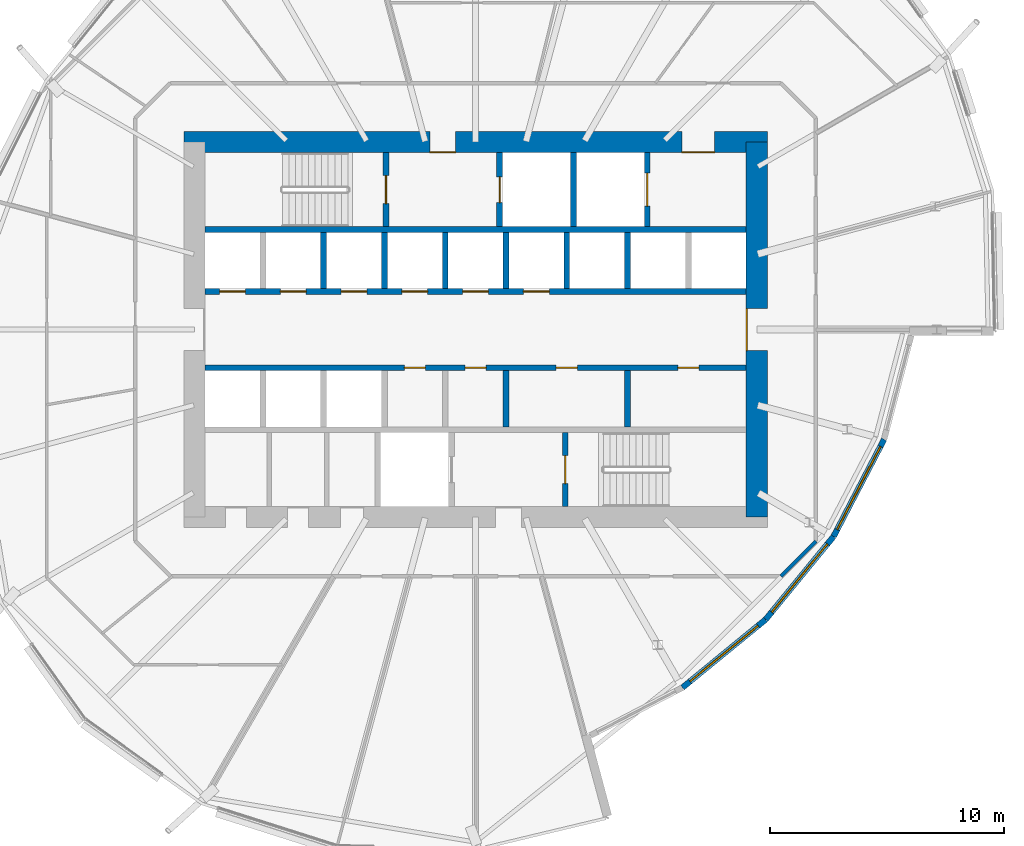
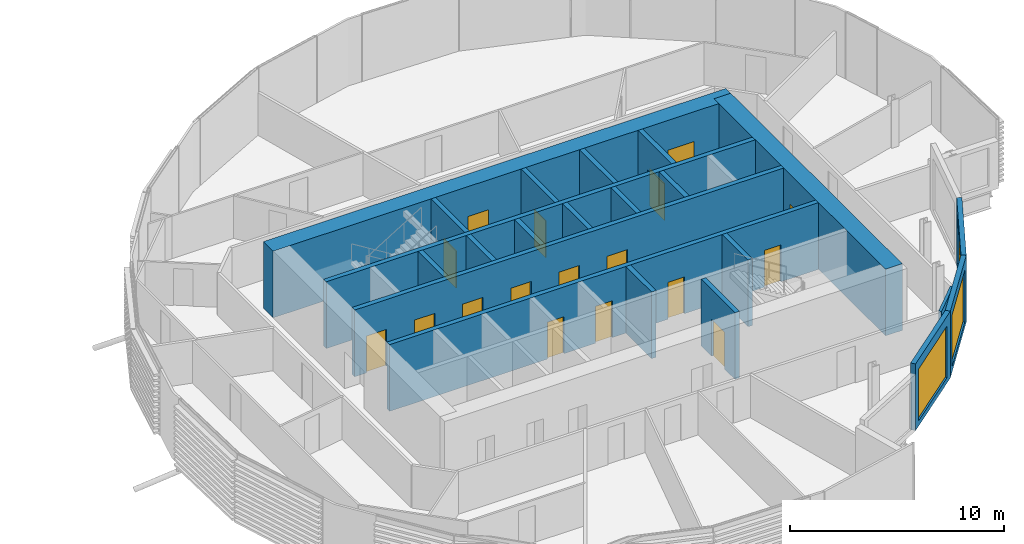
# One storey, part 24 of 38: 22 walls, 17 doors, 3 windows, 20 openings.
"""IFC4 building model written with IfcOpenShell, lengths in metres."""

from ifc_helpers import new_model, si_unit, direction, frame, frame_2d, origin, place, context, subcontext, project, spatial, rectangle, extrude, material, layer, layer_set, type_object, element, fill, save


model = new_model("IFC4")

# Units and contexts
model_context = context("Model", 3, precision=1e-05, world=origin(), true_north=direction((0.0, 1.0)))
body_context = subcontext(model_context, "Body", "Model", "MODEL_VIEW")
ifc_project = project(units=[si_unit("LENGTHUNIT", "METRE"), si_unit("AREAUNIT", "SQUARE_METRE"), si_unit("VOLUMEUNIT", "CUBIC_METRE"), si_unit("PLANEANGLEUNIT", "RADIAN"), si_unit("MASSUNIT", "GRAM", prefix="KILO")], contexts=[model_context])

# Site, building, storey
site_placement = place(None, origin())
site = spatial("IfcSite", under=ifc_project, at=site_placement, CompositionType="ELEMENT")
building_placement = place(site_placement, origin())
building = spatial("IfcBuilding", under=site, at=building_placement, Name="Rimbun Link Towers", CompositionType="ELEMENT")
storey_placement = place(building_placement, frame((0.0, 0.0, 68.0)))
storey = spatial("IfcBuildingStorey", under=building, at=storey_placement, Name="L16", CompositionType="ELEMENT", Elevation=68.0)

# Wall, opening, window
ifc_material_1 = material(Name="Dark enamelled glass spandrel on insulated aluminium backpan", Category="aluminium")
ifc_layer_1 = layer(ifc_material_1, 0.25)
ifc_layer_set_1 = layer_set([ifc_layer_1], Name="CS dark enamelled spandrel wall 250")
wall_type_1 = type_object("IfcWallType", Name="CS dark enamelled spandrel wall 250", PredefinedType="STANDARD", material=ifc_layer_set_1)
wall_1_placement = place(storey_placement, frame((44.126220703125, -12.376220703125, 0.0), z_axis=(0.0, 0.0, 1.0), x_axis=(-0.773897956984, -0.633310312703, 0.0)))
wall_1 = element("IfcWall", 1, at=wall_1_placement, inside=storey, type_object=wall_type_1, Name="Crease spandrel wall", PredefinedType="STANDARD", context=body_context, shape_type="SweptSolid", body=[
    extrude(rectangle(XDim=4.582763671875, YDim=0.25, at=frame_2d((2.29150390625, 0.0))), origin(), (0.0, 0.0, 1.0), 3.800048828125),
])
opening_1_placement = place(wall_1_placement, frame((0.416259765625, 0.0, 0.300048828125)))
opening_1 = element("IfcOpeningElement", 2, at=opening_1_placement, cuts=wall_1, Name="Opening WR38H295", PredefinedType="OPENING", context=body_context, shape_type="SweptSolid", body=[
    extrude(rectangle(XDim=3.75, YDim=2.949951171875, at=frame_2d((1.875, 1.47509765625))), frame((0.0, 0.135009765625, 0.0), z_axis=(0.0, -1.0, 0.0), x_axis=(1.0, 0.0, 0.0)), (0.0, 0.0, 1.0), 0.27001953125),
])
ifc_material_2 = material(Name="Aluminium framed fixed window, dark tinted low-e glass", Category="aluminium")
window_type_1 = type_object("IfcWindowType", Name="WR ribbon window 3750X2950", PartitioningType="SINGLE_PANEL", PredefinedType="WINDOW", material=ifc_material_2)
window_1_placement = place(opening_1_placement, origin())
window_1 = element("IfcWindow", 3, at=window_1_placement, inside=storey, type_object=window_type_1, Name="Crease ribbon window", OverallHeight=2.949951171875, OverallWidth=3.75, PartitioningType="SINGLE_PANEL", PredefinedType="WINDOW", context=body_context, shape_type="SweptSolid", body=[
    extrude(rectangle(XDim=3.75, YDim=2.949951171875, at=frame_2d((1.875, 1.47509765625))), frame((0.0, 0.030029296875, 0.0), z_axis=(0.0, -1.0, 0.0), x_axis=(1.0, 0.0, 0.0)), (0.0, 0.0, 1.0), 0.06005859375),
])
fill(opening_1, window_1)

wall_2_placement = place(storey_placement, frame((47.028564453125, -8.82958984375, 0.0), z_axis=(0.0, 0.0, 1.0), x_axis=(-0.633310312703, -0.773897956984, 0.0)))
wall_2 = element("IfcWall", 4, at=wall_2_placement, inside=storey, type_object=wall_type_1, Name="Crease spandrel wall", PredefinedType="STANDARD", context=body_context, shape_type="SweptSolid", body=[
    extrude(rectangle(XDim=4.582763671875, YDim=0.25, at=frame_2d((2.29150390625, 0.0))), origin(), (0.0, 0.0, 1.0), 3.800048828125),
])
opening_2_placement = place(wall_2_placement, frame((0.416259765625, 0.0, 0.300048828125)))
opening_2 = element("IfcOpeningElement", 5, at=opening_2_placement, cuts=wall_2, Name="Opening WR38H295", PredefinedType="OPENING", context=body_context, shape_type="SweptSolid", body=[
    extrude(rectangle(XDim=3.75, YDim=2.949951171875, at=frame_2d((1.875, 1.47509765625))), frame((0.0, 0.135009765625, 0.0), z_axis=(0.0, -1.0, 0.0), x_axis=(1.0, 0.0, 0.0)), (0.0, 0.0, 1.0), 0.27001953125),
])
window_2_placement = place(opening_2_placement, origin())
window_2 = element("IfcWindow", 6, at=window_2_placement, inside=storey, type_object=window_type_1, Name="Crease ribbon window", OverallHeight=2.949951171875, OverallWidth=3.75, PartitioningType="SINGLE_PANEL", PredefinedType="WINDOW", context=body_context, shape_type="SweptSolid", body=[
    extrude(rectangle(XDim=3.75, YDim=2.949951171875, at=frame_2d((1.875, 1.47509765625))), frame((0.0, 0.030029296875, 0.0), z_axis=(0.0, -1.0, 0.0), x_axis=(1.0, 0.0, 0.0)), (0.0, 0.0, 1.0), 0.06005859375),
])
fill(opening_2, window_2)

wall_3_placement = place(storey_placement, frame((49.186279296875, -4.685791015625, 0.0), z_axis=(0.0, 0.0, 1.0), x_axis=(-0.461847922191, -0.886959129142, 0.0)))
wall_3 = element("IfcWall", 7, at=wall_3_placement, inside=storey, type_object=wall_type_1, Name="Crease spandrel wall", PredefinedType="STANDARD", context=body_context, shape_type="SweptSolid", body=[
    extrude(rectangle(XDim=4.671875, YDim=0.25, at=frame_2d((2.3359375, 0.0))), origin(), (0.0, 0.0, 1.0), 3.800048828125),
])
opening_3_placement = place(wall_3_placement, frame((0.3359375, 0.0, 0.300048828125)))
opening_3 = element("IfcOpeningElement", 8, at=opening_3_placement, cuts=wall_3, Name="Opening WR40H295", PredefinedType="OPENING", context=body_context, shape_type="SweptSolid", body=[
    extrude(rectangle(XDim=4.0, YDim=2.949951171875, at=frame_2d((2.0, 1.47509765625))), frame((0.0, 0.135009765625, 0.0), z_axis=(0.0, -1.0, 0.0), x_axis=(1.0, 0.0, 0.0)), (0.0, 0.0, 1.0), 0.27001953125),
])
ifc_material_3 = material(Name="Aluminium framed fixed window, dark tinted low-e glass", Category="aluminium")
window_type_2 = type_object("IfcWindowType", Name="WR ribbon window 4000X2950", PartitioningType="SINGLE_PANEL", PredefinedType="WINDOW", material=ifc_material_3)
window_3_placement = place(opening_3_placement, origin())
window_3 = element("IfcWindow", 9, at=window_3_placement, inside=storey, type_object=window_type_2, Name="Crease ribbon window", OverallHeight=2.949951171875, OverallWidth=4.0, PartitioningType="SINGLE_PANEL", PredefinedType="WINDOW", context=body_context, shape_type="SweptSolid", body=[
    extrude(rectangle(XDim=4.0, YDim=2.949951171875, at=frame_2d((2.0, 1.47509765625))), frame((0.0, 0.030029296875, 0.0), z_axis=(0.0, -1.0, 0.0), x_axis=(1.0, 0.0, 0.0)), (0.0, 0.0, 1.0), 0.06005859375),
])
fill(opening_3, window_3)

# Wall, openings, doors
ifc_material_4 = material(Name="Concrete C60/75", Category="concrete")
ifc_layer_2 = layer(ifc_material_4, 0.89990234375)
ifc_layer_set_2 = layer_set([ifc_layer_2], Name="Core shear wall 900")
wall_type_2 = type_object("IfcWallType", Name="Core shear wall 900", PredefinedType="SHEAR", material=ifc_layer_set_2)
wall_4_placement = place(storey_placement, frame((19.300048828125, 8.0, 0.0), z_axis=(0.0, 0.0, 1.0), x_axis=(1.0, 0.0, 0.0)))
wall_4 = element("IfcWall", 10, at=wall_4_placement, inside=storey, type_object=wall_type_2, Name="L16 T2 core wall N", PredefinedType="SHEAR", context=body_context, shape_type="SweptSolid", body=[
    extrude(rectangle(XDim=24.89990234375, YDim=0.89990234375, at=frame_2d((12.449951171875, 0.0))), origin(), (0.0, 0.0, 1.0), 3.800048828125),
])
opening_4_placement = place(wall_4_placement, frame((10.5, 0.0, 0.0)))
opening_4 = element("IfcOpeningElement", 11, at=opening_4_placement, cuts=wall_4, Name="Opening C2DCF01N", PredefinedType="OPENING", context=body_context, shape_type="SweptSolid", body=[
    extrude(rectangle(XDim=1.10009765625, YDim=2.10009765625, at=frame_2d((0.550048828125, 1.050048828125))), frame((0.0, 0.4599609375, 0.0), z_axis=(0.0, -1.0, 0.0), x_axis=(1.0, 0.0, 0.0)), (0.0, 0.0, 1.0), 0.919921875),
])
opening_5_placement = place(wall_4_placement, frame((21.25, 0.0, 0.0)))
opening_5 = element("IfcOpeningElement", 12, at=opening_5_placement, cuts=wall_4, Name="Opening C2DSL02N", PredefinedType="OPENING", context=body_context, shape_type="SweptSolid", body=[
    extrude(rectangle(XDim=1.39990234375, YDim=2.10009765625, at=frame_2d((0.699951171875, 1.050048828125))), frame((0.0, 0.4599609375, 0.0), z_axis=(0.0, -1.0, 0.0), x_axis=(1.0, 0.0, 0.0)), (0.0, 0.0, 1.0), 0.919921875),
])
ifc_material_5 = material(Name="Steel fire door set", Category="steel")
door_type_1 = type_object("IfcDoorType", Name="Core fire door single", OperationType="SINGLE_SWING_LEFT", PredefinedType="DOOR", material=ifc_material_5)
door_1_placement = place(opening_4_placement, origin())
door_1 = element("IfcDoor", 13, at=door_1_placement, inside=storey, type_object=door_type_1, Name="L16 T2 firefighting lobby n door", OperationType="SINGLE_SWING_RIGHT", OverallHeight=2.10009765625, OverallWidth=1.10009765625, PredefinedType="DOOR", context=body_context, shape_type="SweptSolid", body=[
    extrude(rectangle(XDim=1.10009765625, YDim=2.10009765625, at=frame_2d((0.550048828125, 1.050048828125))), frame((0.0, -0.39990234375, 0.0), z_axis=(0.0, -1.0, 0.0), x_axis=(1.0, 0.0, 0.0)), (0.0, 0.0, 1.0), 0.050048828125),
])
fill(opening_4, door_1)
ifc_material_6 = material(Name="Steel fire door set", Category="steel")
door_type_2 = type_object("IfcDoorType", Name="Service lobby door double", OperationType="DOUBLE_DOOR_SINGLE_SWING", PredefinedType="DOOR", material=ifc_material_6)
door_2_placement = place(opening_5_placement, origin())
door_2 = element("IfcDoor", 14, at=door_2_placement, inside=storey, type_object=door_type_2, Name="L16 T2 service lobby door", OperationType="DOUBLE_DOOR_SINGLE_SWING", OverallHeight=2.10009765625, OverallWidth=1.39990234375, PredefinedType="DOOR", context=body_context, shape_type="SweptSolid", body=[
    extrude(rectangle(XDim=1.39990234375, YDim=2.10009765625, at=frame_2d((0.699951171875, 1.050048828125))), frame((0.0, -0.39990234375, 0.0), z_axis=(0.0, -1.0, 0.0), x_axis=(1.0, 0.0, 0.0)), (0.0, 0.0, 1.0), 0.050048828125),
])
fill(opening_5, door_2)

# Wall, opening, door
wall_5_placement = place(storey_placement, frame((43.75, -8.0, 0.0), z_axis=(0.0, 0.0, 1.0), x_axis=(0.0, 1.0, 0.0)))
wall_5 = element("IfcWall", 15, at=wall_5_placement, inside=storey, type_object=wall_type_2, Name="L16 T2 core wall E", PredefinedType="SHEAR", context=body_context, shape_type="SweptSolid", body=[
    extrude(rectangle(XDim=16.0, YDim=0.89990234375, at=frame_2d((8.0, 0.0))), origin(), (0.0, 0.0, 1.0), 3.800048828125),
])
opening_6_placement = place(wall_5_placement, frame((7.10009765625, 0.0, 0.0)))
opening_6 = element("IfcOpeningElement", 16, at=opening_6_placement, cuts=wall_5, Name="Opening C2DCL01E", PredefinedType="OPENING", context=body_context, shape_type="SweptSolid", body=[
    extrude(rectangle(XDim=1.800048828125, YDim=2.10009765625, at=frame_2d((0.89990234375, 1.050048828125))), frame((0.0, 0.4599609375, 0.0), z_axis=(0.0, -1.0, 0.0), x_axis=(1.0, 0.0, 0.0)), (0.0, 0.0, 1.0), 0.919921875),
])
ifc_material_7 = material(Name="Steel fire door set", Category="steel")
door_type_3 = type_object("IfcDoorType", Name="Core lobby door double", OperationType="DOUBLE_DOOR_SINGLE_SWING", PredefinedType="DOOR", material=ifc_material_7)
door_3_placement = place(opening_6_placement, origin())
door_3 = element("IfcDoor", 17, at=door_3_placement, inside=storey, type_object=door_type_3, Name="L16 T2 lift lobby door", OperationType="DOUBLE_DOOR_SINGLE_SWING", OverallHeight=2.10009765625, OverallWidth=1.800048828125, PredefinedType="DOOR", context=body_context, shape_type="SweptSolid", body=[
    extrude(rectangle(XDim=1.800048828125, YDim=2.10009765625, at=frame_2d((0.89990234375, 1.050048828125))), frame((0.0, 0.4501953125, 0.0), z_axis=(0.0, -1.0, 0.0), x_axis=(1.0, 0.0, 0.0)), (0.0, 0.0, 1.0), 0.050048828125),
])
fill(opening_6, door_3)

# Walls
ifc_material_8 = material(Name="Plasterboard on steel stud, mineral wool", Category="steel")
ifc_layer_3 = layer(ifc_material_8, 0.14990234375)
ifc_layer_set_3 = layer_set([ifc_layer_3], Name="Corridor wall EI 30 150 mm")
wall_type_3 = type_object("IfcWallType", Name="Corridor wall EI 30 150 mm", PredefinedType="PARTITIONING", material=ifc_layer_set_3)
wall_6_placement = place(storey_placement, frame((44.776611328125, -10.52490234375, 0.0), z_axis=(0.0, 0.0, 1.0), x_axis=(0.707106781187, 0.707106781187, 0.0)))
element("IfcWall", 18, at=wall_6_placement, inside=storey, type_object=wall_type_3, Name="Corridor wall EI 30 150 mm", PredefinedType="PARTITIONING", context=body_context, shape_type="SweptSolid", body=[
    extrude(rectangle(XDim=2.118896484375, YDim=0.14990234375, at=frame_2d((1.0595703125, 0.0))), origin(), (0.0, 0.0, 1.0), 2.419921875),
])
ifc_material_9 = material(Name="Concrete C60/75", Category="concrete")
ifc_layer_4 = layer(ifc_material_9, 0.25)
ifc_layer_set_4 = layer_set([ifc_layer_4], Name="Shaft wall 250")
wall_type_4 = type_object("IfcWallType", Name="Shaft wall 250", PredefinedType="SHEAR", material=ifc_layer_set_4)
wall_7_placement = place(storey_placement, frame((20.199951171875, 4.27490234375, 0.0), z_axis=(0.0, 0.0, 1.0), x_axis=(1.0, 0.0, 0.0)))
element("IfcWall", 19, at=wall_7_placement, inside=storey, type_object=wall_type_4, Name="L16 T2 core wall BN", PredefinedType="SHEAR", context=body_context, shape_type="SweptSolid", body=[
    extrude(rectangle(XDim=23.10009765625, YDim=0.25, at=frame_2d((11.550048828125, 0.0))), origin(), (0.0, 0.0, 1.0), 3.800048828125),
])

# Wall, openings, doors
wall_8_placement = place(storey_placement, frame((20.199951171875, 1.625, 0.0), z_axis=(0.0, 0.0, 1.0), x_axis=(1.0, 0.0, 0.0)))
wall_8 = element("IfcWall", 20, at=wall_8_placement, inside=storey, type_object=wall_type_4, Name="L16 T2 core wall FN", PredefinedType="SHEAR", context=body_context, shape_type="SweptSolid", body=[
    extrude(rectangle(XDim=23.10009765625, YDim=0.25, at=frame_2d((11.550048828125, 0.0))), origin(), (0.0, 0.0, 1.0), 3.800048828125),
])
opening_7_placement = place(wall_8_placement, frame((0.622314453125, 0.0, 0.0)))
opening_7 = element("IfcOpeningElement", 21, at=opening_7_placement, cuts=wall_8, Name="Opening LD-T2-LR1", PredefinedType="OPENING", context=body_context, shape_type="SweptSolid", body=[
    extrude(rectangle(XDim=1.10009765625, YDim=2.10009765625, at=frame_2d((0.550048828125, 1.050048828125))), frame((0.0, 0.135009765625, 0.0), z_axis=(0.0, -1.0, 0.0), x_axis=(1.0, 0.0, 0.0)), (0.0, 0.0, 1.0), 0.27001953125),
])
opening_8_placement = place(wall_8_placement, frame((3.216796875, 0.0, 0.0)))
opening_8 = element("IfcOpeningElement", 22, at=opening_8_placement, cuts=wall_8, Name="Opening LD-T2-LR2", PredefinedType="OPENING", context=body_context, shape_type="SweptSolid", body=[
    extrude(rectangle(XDim=1.10009765625, YDim=2.10009765625, at=frame_2d((0.550048828125, 1.050048828125))), frame((0.0, 0.135009765625, 0.0), z_axis=(0.0, -1.0, 0.0), x_axis=(1.0, 0.0, 0.0)), (0.0, 0.0, 1.0), 0.27001953125),
])
opening_9_placement = place(wall_8_placement, frame((5.81103515625, 0.0, 0.0)))
opening_9 = element("IfcOpeningElement", 23, at=opening_9_placement, cuts=wall_8, Name="Opening LD-T2-LR3", PredefinedType="OPENING", context=body_context, shape_type="SweptSolid", body=[
    extrude(rectangle(XDim=1.10009765625, YDim=2.10009765625, at=frame_2d((0.550048828125, 1.050048828125))), frame((0.0, 0.135009765625, 0.0), z_axis=(0.0, -1.0, 0.0), x_axis=(1.0, 0.0, 0.0)), (0.0, 0.0, 1.0), 0.27001953125),
])
opening_10_placement = place(wall_8_placement, frame((8.405517578125, 0.0, 0.0)))
opening_10 = element("IfcOpeningElement", 24, at=opening_10_placement, cuts=wall_8, Name="Opening LD-T2-LR4", PredefinedType="OPENING", context=body_context, shape_type="SweptSolid", body=[
    extrude(rectangle(XDim=1.10009765625, YDim=2.10009765625, at=frame_2d((0.550048828125, 1.050048828125))), frame((0.0, 0.135009765625, 0.0), z_axis=(0.0, -1.0, 0.0), x_axis=(1.0, 0.0, 0.0)), (0.0, 0.0, 1.0), 0.27001953125),
])
opening_11_placement = place(wall_8_placement, frame((11.0, 0.0, 0.0)))
opening_11 = element("IfcOpeningElement", 25, at=opening_11_placement, cuts=wall_8, Name="Opening LD-T2-LR5", PredefinedType="OPENING", context=body_context, shape_type="SweptSolid", body=[
    extrude(rectangle(XDim=1.10009765625, YDim=2.10009765625, at=frame_2d((0.550048828125, 1.050048828125))), frame((0.0, 0.135009765625, 0.0), z_axis=(0.0, -1.0, 0.0), x_axis=(1.0, 0.0, 0.0)), (0.0, 0.0, 1.0), 0.27001953125),
])
opening_12_placement = place(wall_8_placement, frame((13.594482421875, 0.0, 0.0)))
opening_12 = element("IfcOpeningElement", 26, at=opening_12_placement, cuts=wall_8, Name="Opening LD-T2-LR6", PredefinedType="OPENING", context=body_context, shape_type="SweptSolid", body=[
    extrude(rectangle(XDim=1.10009765625, YDim=2.10009765625, at=frame_2d((0.550048828125, 1.050048828125))), frame((0.0, 0.135009765625, 0.0), z_axis=(0.0, -1.0, 0.0), x_axis=(1.0, 0.0, 0.0)), (0.0, 0.0, 1.0), 0.27001953125),
])
ifc_material_10 = material(Name="Stainless steel grade 316", Category="steel")
door_type_4 = type_object("IfcDoorType", Name="Lift landing door", OperationType="DOUBLE_DOOR_SLIDING", PredefinedType="DOOR", material=ifc_material_10)
door_4_placement = place(opening_7_placement, origin())
door_4 = element("IfcDoor", 27, at=door_4_placement, inside=storey, type_object=door_type_4, Name="L16 T2 lift LR1 landing door", OperationType="DOUBLE_DOOR_SLIDING", OverallHeight=2.10009765625, OverallWidth=1.10009765625, PredefinedType="DOOR", context=body_context, shape_type="SweptSolid", body=[
    extrude(rectangle(XDim=1.10009765625, YDim=2.10009765625, at=frame_2d((0.550048828125, 1.050048828125))), frame((0.0, 0.02490234375, 0.0), z_axis=(0.0, -1.0, 0.0), x_axis=(1.0, 0.0, 0.0)), (0.0, 0.0, 1.0), 0.050048828125),
])
fill(opening_7, door_4)
door_5_placement = place(opening_8_placement, origin())
door_5 = element("IfcDoor", 28, at=door_5_placement, inside=storey, type_object=door_type_4, Name="L16 T2 lift LR2 landing door", OperationType="DOUBLE_DOOR_SLIDING", OverallHeight=2.10009765625, OverallWidth=1.10009765625, PredefinedType="DOOR", context=body_context, shape_type="SweptSolid", body=[
    extrude(rectangle(XDim=1.10009765625, YDim=2.10009765625, at=frame_2d((0.550048828125, 1.050048828125))), frame((0.0, 0.02490234375, 0.0), z_axis=(0.0, -1.0, 0.0), x_axis=(1.0, 0.0, 0.0)), (0.0, 0.0, 1.0), 0.050048828125),
])
fill(opening_8, door_5)
door_6_placement = place(opening_9_placement, origin())
door_6 = element("IfcDoor", 29, at=door_6_placement, inside=storey, type_object=door_type_4, Name="L16 T2 lift LR3 landing door", OperationType="DOUBLE_DOOR_SLIDING", OverallHeight=2.10009765625, OverallWidth=1.10009765625, PredefinedType="DOOR", context=body_context, shape_type="SweptSolid", body=[
    extrude(rectangle(XDim=1.10009765625, YDim=2.10009765625, at=frame_2d((0.550048828125, 1.050048828125))), frame((0.0, 0.02490234375, 0.0), z_axis=(0.0, -1.0, 0.0), x_axis=(1.0, 0.0, 0.0)), (0.0, 0.0, 1.0), 0.050048828125),
])
fill(opening_9, door_6)
door_7_placement = place(opening_10_placement, origin())
door_7 = element("IfcDoor", 30, at=door_7_placement, inside=storey, type_object=door_type_4, Name="L16 T2 lift LR4 landing door", OperationType="DOUBLE_DOOR_SLIDING", OverallHeight=2.10009765625, OverallWidth=1.10009765625, PredefinedType="DOOR", context=body_context, shape_type="SweptSolid", body=[
    extrude(rectangle(XDim=1.10009765625, YDim=2.10009765625, at=frame_2d((0.550048828125, 1.050048828125))), frame((0.0, 0.02490234375, 0.0), z_axis=(0.0, -1.0, 0.0), x_axis=(1.0, 0.0, 0.0)), (0.0, 0.0, 1.0), 0.050048828125),
])
fill(opening_10, door_7)
door_8_placement = place(opening_11_placement, origin())
door_8 = element("IfcDoor", 31, at=door_8_placement, inside=storey, type_object=door_type_4, Name="L16 T2 lift LR5 landing door", OperationType="DOUBLE_DOOR_SLIDING", OverallHeight=2.10009765625, OverallWidth=1.10009765625, PredefinedType="DOOR", context=body_context, shape_type="SweptSolid", body=[
    extrude(rectangle(XDim=1.10009765625, YDim=2.10009765625, at=frame_2d((0.550048828125, 1.050048828125))), frame((0.0, 0.02490234375, 0.0), z_axis=(0.0, -1.0, 0.0), x_axis=(1.0, 0.0, 0.0)), (0.0, 0.0, 1.0), 0.050048828125),
])
fill(opening_11, door_8)
door_9_placement = place(opening_12_placement, origin())
door_9 = element("IfcDoor", 32, at=door_9_placement, inside=storey, type_object=door_type_4, Name="L16 T2 lift LR6 landing door", OperationType="DOUBLE_DOOR_SLIDING", OverallHeight=2.10009765625, OverallWidth=1.10009765625, PredefinedType="DOOR", context=body_context, shape_type="SweptSolid", body=[
    extrude(rectangle(XDim=1.10009765625, YDim=2.10009765625, at=frame_2d((0.550048828125, 1.050048828125))), frame((0.0, 0.02490234375, 0.0), z_axis=(0.0, -1.0, 0.0), x_axis=(1.0, 0.0, 0.0)), (0.0, 0.0, 1.0), 0.050048828125),
])
fill(opening_12, door_9)

wall_9_placement = place(storey_placement, frame((20.199951171875, -1.625, 0.0), z_axis=(0.0, 0.0, 1.0), x_axis=(1.0, 0.0, 0.0)))
wall_9 = element("IfcWall", 33, at=wall_9_placement, inside=storey, type_object=wall_type_4, Name="L16 T2 core wall FS", PredefinedType="SHEAR", context=body_context, shape_type="SweptSolid", body=[
    extrude(rectangle(XDim=23.10009765625, YDim=0.25, at=frame_2d((11.550048828125, 0.0))), origin(), (0.0, 0.0, 1.0), 3.800048828125),
])
opening_13_placement = place(wall_9_placement, frame((8.505615234375, 0.0, 0.0)))
opening_13 = element("IfcOpeningElement", 34, at=opening_13_placement, cuts=wall_9, Name="Opening C2DRS01FS", PredefinedType="OPENING", context=body_context, shape_type="SweptSolid", body=[
    extrude(rectangle(XDim=0.89990234375, YDim=2.10009765625, at=frame_2d((0.449951171875, 1.050048828125))), frame((0.0, 0.135009765625, 0.0), z_axis=(0.0, -1.0, 0.0), x_axis=(1.0, 0.0, 0.0)), (0.0, 0.0, 1.0), 0.27001953125),
])
opening_14_placement = place(wall_9_placement, frame((11.10009765625, 0.0, 0.0)))
opening_14 = element("IfcOpeningElement", 35, at=opening_14_placement, cuts=wall_9, Name="Opening C2DRS02FS", PredefinedType="OPENING", context=body_context, shape_type="SweptSolid", body=[
    extrude(rectangle(XDim=0.89990234375, YDim=2.10009765625, at=frame_2d((0.449951171875, 1.050048828125))), frame((0.0, 0.135009765625, 0.0), z_axis=(0.0, -1.0, 0.0), x_axis=(1.0, 0.0, 0.0)), (0.0, 0.0, 1.0), 0.27001953125),
])
opening_15_placement = place(wall_9_placement, frame((14.99169921875, 0.0, 0.0)))
opening_15 = element("IfcOpeningElement", 36, at=opening_15_placement, cuts=wall_9, Name="Opening C2DRS03FS", PredefinedType="OPENING", context=body_context, shape_type="SweptSolid", body=[
    extrude(rectangle(XDim=0.89990234375, YDim=2.10009765625, at=frame_2d((0.449951171875, 1.050048828125))), frame((0.0, 0.135009765625, 0.0), z_axis=(0.0, -1.0, 0.0), x_axis=(1.0, 0.0, 0.0)), (0.0, 0.0, 1.0), 0.27001953125),
])
opening_16_placement = place(wall_9_placement, frame((20.1806640625, 0.0, 0.0)))
opening_16 = element("IfcOpeningElement", 37, at=opening_16_placement, cuts=wall_9, Name="Opening C2DRS04FS", PredefinedType="OPENING", context=body_context, shape_type="SweptSolid", body=[
    extrude(rectangle(XDim=0.89990234375, YDim=2.10009765625, at=frame_2d((0.449951171875, 1.050048828125))), frame((0.0, 0.135009765625, 0.0), z_axis=(0.0, -1.0, 0.0), x_axis=(1.0, 0.0, 0.0)), (0.0, 0.0, 1.0), 0.27001953125),
])
ifc_material_11 = material(Name="Steel fire door set", Category="steel")
door_type_5 = type_object("IfcDoorType", Name="Core riser door", OperationType="SINGLE_SWING_LEFT", PredefinedType="DOOR", material=ifc_material_11)
door_10_placement = place(opening_13_placement, origin())
door_10 = element("IfcDoor", 38, at=door_10_placement, inside=storey, type_object=door_type_5, Name="L16 T2 pantry door", OperationType="SINGLE_SWING_LEFT", OverallHeight=2.10009765625, OverallWidth=0.89990234375, PredefinedType="DOOR", context=body_context, shape_type="SweptSolid", body=[
    extrude(rectangle(XDim=0.89990234375, YDim=2.10009765625, at=frame_2d((0.449951171875, 1.050048828125))), frame((0.0, 0.02490234375, 0.0), z_axis=(0.0, -1.0, 0.0), x_axis=(1.0, 0.0, 0.0)), (0.0, 0.0, 1.0), 0.050048828125),
])
fill(opening_13, door_10)
door_11_placement = place(opening_14_placement, origin())
door_11 = element("IfcDoor", 39, at=door_11_placement, inside=storey, type_object=door_type_5, Name="L16 T2 stationery store door", OperationType="SINGLE_SWING_RIGHT", OverallHeight=2.10009765625, OverallWidth=0.89990234375, PredefinedType="DOOR", context=body_context, shape_type="SweptSolid", body=[
    extrude(rectangle(XDim=0.89990234375, YDim=2.10009765625, at=frame_2d((0.449951171875, 1.050048828125))), frame((0.0, 0.02490234375, 0.0), z_axis=(0.0, -1.0, 0.0), x_axis=(1.0, 0.0, 0.0)), (0.0, 0.0, 1.0), 0.050048828125),
])
fill(opening_14, door_11)
door_12_placement = place(opening_15_placement, origin())
door_12 = element("IfcDoor", 40, at=door_12_placement, inside=storey, type_object=door_type_5, Name="L16 T2 server room door", OperationType="SINGLE_SWING_LEFT", OverallHeight=2.10009765625, OverallWidth=0.89990234375, PredefinedType="DOOR", context=body_context, shape_type="SweptSolid", body=[
    extrude(rectangle(XDim=0.89990234375, YDim=2.10009765625, at=frame_2d((0.449951171875, 1.050048828125))), frame((0.0, 0.02490234375, 0.0), z_axis=(0.0, -1.0, 0.0), x_axis=(1.0, 0.0, 0.0)), (0.0, 0.0, 1.0), 0.050048828125),
])
fill(opening_15, door_12)
door_13_placement = place(opening_16_placement, origin())
door_13 = element("IfcDoor", 41, at=door_13_placement, inside=storey, type_object=door_type_5, Name="L16 T2 print room door", OperationType="SINGLE_SWING_LEFT", OverallHeight=2.10009765625, OverallWidth=0.89990234375, PredefinedType="DOOR", context=body_context, shape_type="SweptSolid", body=[
    extrude(rectangle(XDim=0.89990234375, YDim=2.10009765625, at=frame_2d((0.449951171875, 1.050048828125))), frame((0.0, 0.02490234375, 0.0), z_axis=(0.0, -1.0, 0.0), x_axis=(1.0, 0.0, 0.0)), (0.0, 0.0, 1.0), 0.050048828125),
])
fill(opening_16, door_13)

# Walls
for number, where, z_axis, x_axis, name in (
    (42, (25.263916015625, 1.75, 0.0), (0.0, 0.0, 1.0), (0.0, 1.0, 0.0), "L16 T2 core wall DN1"),
    (43, (27.8583984375, 1.75, 0.0), (0.0, 0.0, 1.0), (0.0, 1.0, 0.0), "L16 T2 core wall DN2"),
    (44, (30.452880859375, 1.75, 0.0), (0.0, 0.0, 1.0), (0.0, 1.0, 0.0), "L16 T2 core wall DN3"),
    (45, (33.047119140625, 1.75, 0.0), (0.0, 0.0, 1.0), (0.0, 1.0, 0.0), "L16 T2 core wall DN4"),
    (46, (35.6416015625, 1.75, 0.0), (0.0, 0.0, 1.0), (0.0, 1.0, 0.0), "L16 T2 core wall DN5"),
    (47, (38.236083984375, 1.75, 0.0), (0.0, 0.0, 1.0), (0.0, 1.0, 0.0), "L16 T2 core wall DN6"),
    (48, (33.047119140625, -4.14990234375, 0.0), (0.0, 0.0, 1.0), (0.0, 1.0, 0.0), "L16 T2 core wall DS4"),
    (49, (38.236083984375, -4.14990234375, 0.0), (0.0, 0.0, 1.0), (0.0, 1.0, 0.0), "L16 T2 core wall DS6"),
):
    element("IfcWall", number, at=place(storey_placement, frame(where, z_axis=z_axis, x_axis=x_axis)), inside=storey, type_object=wall_type_4, Name=name, PredefinedType="SHEAR", context=body_context, shape_type="SweptSolid", body=[
        extrude(rectangle(XDim=2.39990234375, YDim=0.25, at=frame_2d((1.199951171875, 0.0))), origin(), (0.0, 0.0, 1.0), 3.800048828125),
    ])

# Wall, opening, door
wall_10_placement = place(storey_placement, frame((27.925048828125, 4.39990234375, 0.0), z_axis=(0.0, 0.0, 1.0), x_axis=(0.0, 1.0, 0.0)))
wall_10 = element("IfcWall", 50, at=wall_10_placement, inside=storey, type_object=wall_type_4, Name="L16 T2 core wall A1", PredefinedType="SHEAR", context=body_context, shape_type="SweptSolid", body=[
    extrude(rectangle(XDim=3.150146484375, YDim=0.25, at=frame_2d((1.5751953125, 0.0))), origin(), (0.0, 0.0, 1.0), 3.800048828125),
])
opening_17_placement = place(wall_10_placement, frame((0.97509765625, 0.0, 0.0)))
opening_17 = element("IfcOpeningElement", 51, at=opening_17_placement, cuts=wall_10, Name="Opening C2DST01A1", PredefinedType="OPENING", context=body_context, shape_type="SweptSolid", body=[
    extrude(rectangle(XDim=1.199951171875, YDim=2.10009765625, at=frame_2d((0.60009765625, 1.050048828125))), frame((0.0, 0.135009765625, 0.0), z_axis=(0.0, -1.0, 0.0), x_axis=(1.0, 0.0, 0.0)), (0.0, 0.0, 1.0), 0.27001953125),
])
ifc_material_12 = material(Name="Steel fire door set", Category="steel")
door_type_6 = type_object("IfcDoorType", Name="Stair door", OperationType="SINGLE_SWING_LEFT", PredefinedType="DOOR", material=ifc_material_12)
door_14_placement = place(opening_17_placement, origin())
door_14 = element("IfcDoor", 52, at=door_14_placement, inside=storey, type_object=door_type_6, Name="L16 T2 stair a door", OperationType="SINGLE_SWING_RIGHT", OverallHeight=2.10009765625, OverallWidth=1.199951171875, PredefinedType="DOOR", context=body_context, shape_type="SweptSolid", body=[
    extrude(rectangle(XDim=1.199951171875, YDim=2.10009765625, at=frame_2d((0.60009765625, 1.050048828125))), frame((0.0, 0.02490234375, 0.0), z_axis=(0.0, -1.0, 0.0), x_axis=(1.0, 0.0, 0.0)), (0.0, 0.0, 1.0), 0.050048828125),
])
fill(opening_17, door_14)

wall_11_placement = place(storey_placement, frame((32.77490234375, 4.39990234375, 0.0), z_axis=(0.0, 0.0, 1.0), x_axis=(0.0, 1.0, 0.0)))
wall_11 = element("IfcWall", 53, at=wall_11_placement, inside=storey, type_object=wall_type_4, Name="L16 T2 core wall A2", PredefinedType="SHEAR", context=body_context, shape_type="SweptSolid", body=[
    extrude(rectangle(XDim=3.150146484375, YDim=0.25, at=frame_2d((1.5751953125, 0.0))), origin(), (0.0, 0.0, 1.0), 3.800048828125),
])
opening_18_placement = place(wall_11_placement, frame((1.02490234375, 0.0, 0.0)))
opening_18 = element("IfcOpeningElement", 54, at=opening_18_placement, cuts=wall_11, Name="Opening LD-T2-FF1", PredefinedType="OPENING", context=body_context, shape_type="SweptSolid", body=[
    extrude(rectangle(XDim=1.10009765625, YDim=2.10009765625, at=frame_2d((0.550048828125, 1.050048828125))), frame((0.0, 0.135009765625, 0.0), z_axis=(0.0, -1.0, 0.0), x_axis=(1.0, 0.0, 0.0)), (0.0, 0.0, 1.0), 0.27001953125),
])
door_15_placement = place(opening_18_placement, origin())
door_15 = element("IfcDoor", 55, at=door_15_placement, inside=storey, type_object=door_type_4, Name="L16 T2 lift FF1 landing door", OperationType="DOUBLE_DOOR_SLIDING", OverallHeight=2.10009765625, OverallWidth=1.10009765625, PredefinedType="DOOR", context=body_context, shape_type="SweptSolid", body=[
    extrude(rectangle(XDim=1.10009765625, YDim=2.10009765625, at=frame_2d((0.550048828125, 1.050048828125))), frame((0.0, 0.02490234375, 0.0), z_axis=(0.0, -1.0, 0.0), x_axis=(1.0, 0.0, 0.0)), (0.0, 0.0, 1.0), 0.050048828125),
])
fill(opening_18, door_15)

# Wall
wall_12_placement = place(storey_placement, frame((35.925048828125, 4.39990234375, 0.0), z_axis=(0.0, 0.0, 1.0), x_axis=(0.0, 1.0, 0.0)))
element("IfcWall", 56, at=wall_12_placement, inside=storey, type_object=wall_type_4, Name="L16 T2 core wall A3", PredefinedType="SHEAR", context=body_context, shape_type="SweptSolid", body=[
    extrude(rectangle(XDim=3.150146484375, YDim=0.25, at=frame_2d((1.5751953125, 0.0))), origin(), (0.0, 0.0, 1.0), 3.800048828125),
])

# Wall, opening, door
wall_13_placement = place(storey_placement, frame((39.074951171875, 4.39990234375, 0.0), z_axis=(0.0, 0.0, 1.0), x_axis=(0.0, 1.0, 0.0)))
wall_13 = element("IfcWall", 57, at=wall_13_placement, inside=storey, type_object=wall_type_4, Name="L16 T2 core wall A4", PredefinedType="SHEAR", context=body_context, shape_type="SweptSolid", body=[
    extrude(rectangle(XDim=3.150146484375, YDim=0.25, at=frame_2d((1.5751953125, 0.0))), origin(), (0.0, 0.0, 1.0), 3.800048828125),
])
opening_19_placement = place(wall_13_placement, frame((0.875, 0.0, 0.0)))
opening_19 = element("IfcOpeningElement", 58, at=opening_19_placement, cuts=wall_13, Name="Opening LD-T2-GL1", PredefinedType="OPENING", context=body_context, shape_type="SweptSolid", body=[
    extrude(rectangle(XDim=1.39990234375, YDim=2.10009765625, at=frame_2d((0.699951171875, 1.050048828125))), frame((0.0, 0.135009765625, 0.0), z_axis=(0.0, -1.0, 0.0), x_axis=(1.0, 0.0, 0.0)), (0.0, 0.0, 1.0), 0.27001953125),
])
ifc_material_13 = material(Name="Stainless steel grade 316", Category="steel")
door_type_7 = type_object("IfcDoorType", Name="Goods lift landing door", OperationType="DOUBLE_DOOR_SLIDING", PredefinedType="DOOR", material=ifc_material_13)
door_16_placement = place(opening_19_placement, origin())
door_16 = element("IfcDoor", 59, at=door_16_placement, inside=storey, type_object=door_type_7, Name="L16 T2 lift GL1 landing door", OperationType="DOUBLE_DOOR_SLIDING", OverallHeight=2.10009765625, OverallWidth=1.39990234375, PredefinedType="DOOR", context=body_context, shape_type="SweptSolid", body=[
    extrude(rectangle(XDim=1.39990234375, YDim=2.10009765625, at=frame_2d((0.699951171875, 1.050048828125))), frame((0.0, 0.02490234375, 0.0), z_axis=(0.0, -1.0, 0.0), x_axis=(1.0, 0.0, 0.0)), (0.0, 0.0, 1.0), 0.050048828125),
])
fill(opening_19, door_16)

wall_14_placement = place(storey_placement, frame((35.574951171875, -4.39990234375, 0.0), z_axis=(0.0, 0.0, 1.0), x_axis=(0.0, -1.0, 0.0)))
wall_14 = element("IfcWall", 60, at=wall_14_placement, inside=storey, type_object=wall_type_4, Name="L16 T2 core wall B1", PredefinedType="SHEAR", context=body_context, shape_type="SweptSolid", body=[
    extrude(rectangle(XDim=3.150146484375, YDim=0.25, at=frame_2d((1.5751953125, 0.0))), origin(), (0.0, 0.0, 1.0), 3.800048828125),
])
opening_20_placement = place(wall_14_placement, frame((0.97509765625, 0.0, 0.0)))
opening_20 = element("IfcOpeningElement", 61, at=opening_20_placement, cuts=wall_14, Name="Opening C2DST01B1", PredefinedType="OPENING", context=body_context, shape_type="SweptSolid", body=[
    extrude(rectangle(XDim=1.199951171875, YDim=2.10009765625, at=frame_2d((0.60009765625, 1.050048828125))), frame((0.0, 0.135009765625, 0.0), z_axis=(0.0, -1.0, 0.0), x_axis=(1.0, 0.0, 0.0)), (0.0, 0.0, 1.0), 0.27001953125),
])
door_17_placement = place(opening_20_placement, origin())
door_17 = element("IfcDoor", 62, at=door_17_placement, inside=storey, type_object=door_type_6, Name="L16 T2 stair b door", OperationType="SINGLE_SWING_RIGHT", OverallHeight=2.10009765625, OverallWidth=1.199951171875, PredefinedType="DOOR", context=body_context, shape_type="SweptSolid", body=[
    extrude(rectangle(XDim=1.199951171875, YDim=2.10009765625, at=frame_2d((0.60009765625, 1.050048828125))), frame((0.0, 0.02490234375, 0.0), z_axis=(0.0, -1.0, 0.0), x_axis=(1.0, 0.0, 0.0)), (0.0, 0.0, 1.0), 0.050048828125),
])
fill(opening_20, door_17)

save(model, "model.ifc")
